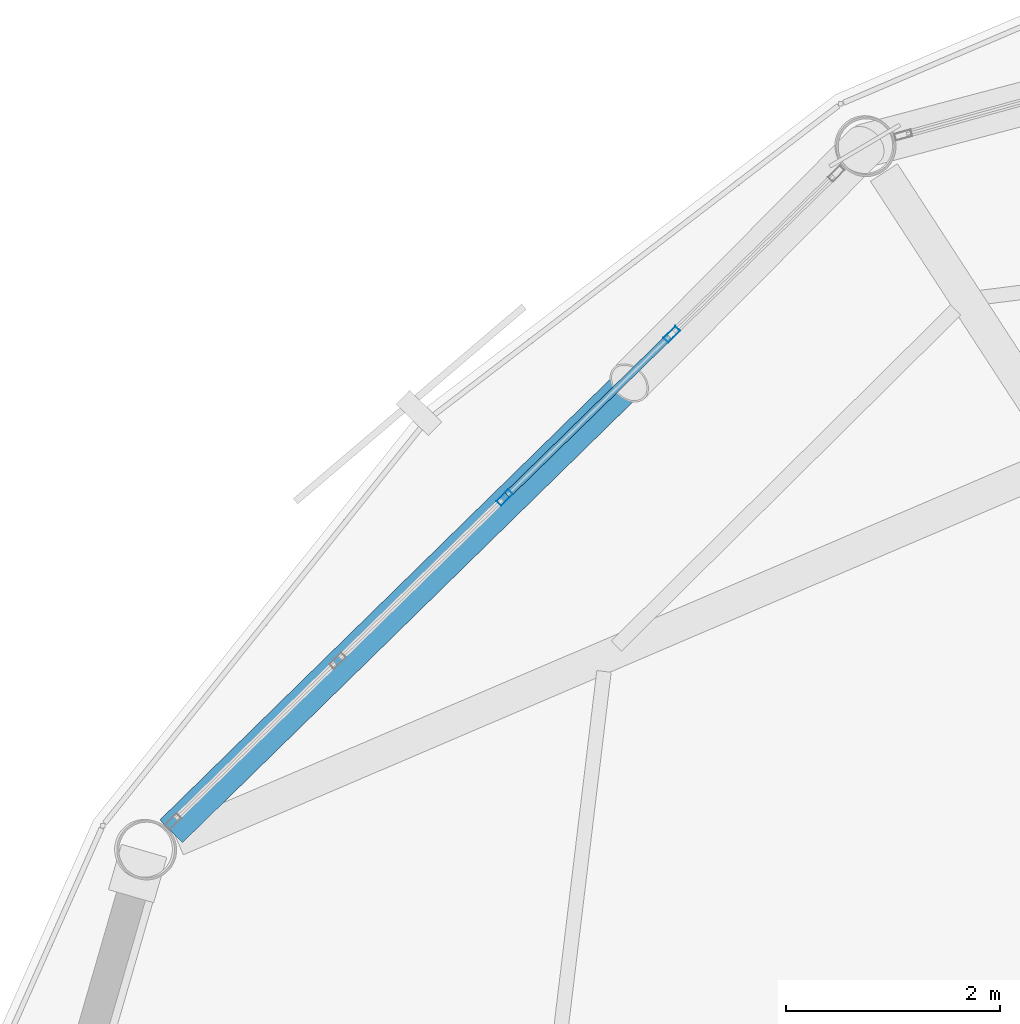
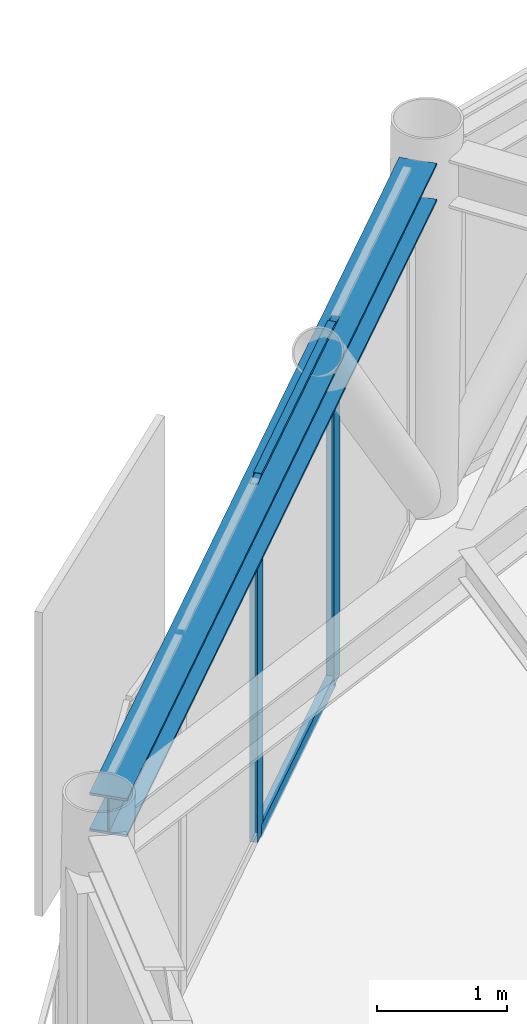
# One storey, part 13 of 27: 4 members, 1 beam, 1 element without a shape of its own.
"""IFC4 building model written with IfcOpenShell, lengths in metres."""

from ifc_helpers import new_model, si_unit, direction, frame, origin, origin_2d, place, context, subcontext, project, spatial, hollow_rectangle, i_section, extrude, material, layer, layer_set, material_profile, profile_set, type_object, element, aggregate, save


model = new_model("IFC4")

# Units and contexts
model_context = context("Model", 3, precision=1e-05, world=origin(), true_north=direction((0.0, 1.0)))
body_context = subcontext(model_context, "Body", "Model", "MODEL_VIEW")
ifc_project = project(units=[si_unit("LENGTHUNIT", "METRE"), si_unit("AREAUNIT", "SQUARE_METRE"), si_unit("VOLUMEUNIT", "CUBIC_METRE"), si_unit("PLANEANGLEUNIT", "RADIAN"), si_unit("MASSUNIT", "GRAM", prefix="KILO")], contexts=[model_context])

# Site, building, storey
site_placement = place(None, origin())
site = spatial("IfcSite", under=ifc_project, at=site_placement, CompositionType="ELEMENT")
building_placement = place(site_placement, origin())
building = spatial("IfcBuilding", under=site, at=building_placement, Name="Varnakorn Sky Granary", CompositionType="ELEMENT")
storey_placement = place(building_placement, frame((0.0, 0.0, 249.0)))
storey = spatial("IfcBuildingStorey", under=building, at=storey_placement, Name="L63", CompositionType="ELEMENT", Elevation=249.0)

# Beam
ifc_material_1 = material(Name="Steel S355JR", Category="steel")
ifc_material_profile_1 = material_profile(ifc_material_1, i_section(OverallWidth=0.300048828125, OverallDepth=0.360107421875, WebThickness=0.012451171875, FlangeThickness=0.0224609375, at=origin_2d()), Name="HE 360 B")
ifc_profile_set_1 = profile_set([ifc_material_profile_1], Name="Steel S355JR")
beam_type = type_object("IfcBeamType", Name="BM-SPD-Z5", PredefinedType="SPANDREL", material=ifc_profile_set_1)
beam_placement = place(storey_placement, frame((-4.485107421875, 15.3203125, 3.179931640625), z_axis=(-0.714633809089, -0.69949876262, 0.0), x_axis=(0.69949876262, -0.714633809089, 0.0)))
element("IfcBeam", 1, at=beam_placement, inside=storey, type_object=beam_type, Name="Perimeter Spandrel Ring Beam RB05 L63", PredefinedType="SPANDREL", context=body_context, shape_type="SweptSolid", body=[
    extrude(i_section(OverallWidth=0.300048828125, OverallDepth=0.360107421875, WebThickness=0.012451171875, FlangeThickness=0.0224609375, at=origin_2d()), origin(), (0.0, 0.0, 1.0), 8.839599609375),
])

# Curtain wall, members
ifc_material_2 = material(Name="Anodised Bronze Aluminium Alloy 6063-T6", Category="aluminium")
ifc_layer = layer(ifc_material_2, 0.159912109375, Name="Anodised Bronze Aluminium Alloy 6063-T6")
ifc_layer_set = layer_set([ifc_layer], Name="Anodised Bronze Aluminium Alloy 6063-T6")
curtain_wall_type = type_object("IfcCurtainWallType", Name="CW-OFF-1", PredefinedType="USERDEFINED", material=ifc_layer_set)
curtain_wall_placement = place(storey_placement, origin())
curtain_wall = element("IfcCurtainWall", 2, at=curtain_wall_placement, inside=storey, type_object=curtain_wall_type, Name="Unitised Curtain Wall CW6 CW-L63-B05", ObjectType="CURTAIN WALL", PredefinedType="USERDEFINED")
ifc_material_profile_2 = material_profile(ifc_material_2, hollow_rectangle(XDim=0.06494140625, YDim=0.159912109375, WallThickness=0.00341796875, at=origin_2d()), Name="ALU MULL 65x160")
ifc_profile_set_2 = profile_set([ifc_material_profile_2], Name="Anodised Bronze Aluminium Alloy 6063-T6")
member_type_1 = type_object("IfcMemberType", Name="CW-OFF-1-MULL", PredefinedType="MULLION", material=ifc_profile_set_2)
member_1_placement = place(storey_placement, frame((-7.690185546875, 12.251953125, 0.0), z_axis=(0.0, 0.0, 1.0), x_axis=(-0.698832913663, 0.71528494936, 0.0)))
member_1 = element("IfcMember", 3, at=member_1_placement, type_object=member_type_1, Name="CW6 mullion 3", PredefinedType="MULLION", context=body_context, shape_type="SweptSolid", body=[
    extrude(hollow_rectangle(XDim=0.06494140625, YDim=0.159912109375, WallThickness=0.00341796875, at=origin_2d()), origin(), (0.0, 0.0, 1.0), 3.360107421875),
])
member_2_placement = place(storey_placement, frame((-6.13134765625, 13.774658203125, 0.0), z_axis=(0.0, 0.0, 1.0), x_axis=(-0.698832913663, 0.71528494936, 0.0)))
member_2 = element("IfcMember", 4, at=member_2_placement, type_object=member_type_1, Name="CW6 mullion 4", PredefinedType="MULLION", context=body_context, shape_type="SweptSolid", body=[
    extrude(hollow_rectangle(XDim=0.06494140625, YDim=0.159912109375, WallThickness=0.00341796875, at=origin_2d()), origin(), (0.0, 0.0, 1.0), 3.360107421875),
])
ifc_material_profile_3 = material_profile(ifc_material_2, hollow_rectangle(XDim=0.06494140625, YDim=0.1201171875, WallThickness=0.00341796875, at=origin_2d()), Name="ALU TRAN 65x120")
ifc_profile_set_3 = profile_set([ifc_material_profile_3], Name="Anodised Bronze Aluminium Alloy 6063-T6")
member_type_2 = type_object("IfcMemberType", Name="CW-OFF-1-TRAN", PredefinedType="USERDEFINED", material=ifc_profile_set_3)
member_3_placement = place(storey_placement, frame((-7.666748046875, 12.274658203125, 0.032470703125), z_axis=(0.715259363774, 0.69885910063, 0.0), x_axis=(-0.69885910063, 0.715259363774, 0.0)))
member_3 = element("IfcMember", 5, at=member_3_placement, type_object=member_type_2, Name="CW6 transom 3.1", ObjectType="TRANSOM", PredefinedType="USERDEFINED", context=body_context, shape_type="SweptSolid", body=[
    extrude(hollow_rectangle(XDim=0.06494140625, YDim=0.1201171875, WallThickness=0.00341796875, at=origin_2d()), origin(), (0.0, 0.0, 1.0), 2.11376953125),
])
member_4_placement = place(storey_placement, frame((-7.666748046875, 12.274658203125, 3.327392578125), z_axis=(0.715259363774, 0.69885910063, 0.0), x_axis=(-0.69885910063, 0.715259363774, 0.0)))
member_4 = element("IfcMember", 6, at=member_4_placement, type_object=member_type_2, Name="CW6 transom 3.2", ObjectType="TRANSOM", PredefinedType="USERDEFINED", context=body_context, shape_type="SweptSolid", body=[
    extrude(hollow_rectangle(XDim=0.06494140625, YDim=0.1201171875, WallThickness=0.00341796875, at=origin_2d()), origin(), (0.0, 0.0, 1.0), 2.11376953125),
])
aggregate(curtain_wall, [member_1, member_2, member_3, member_4])

save(model, "model.ifc")
